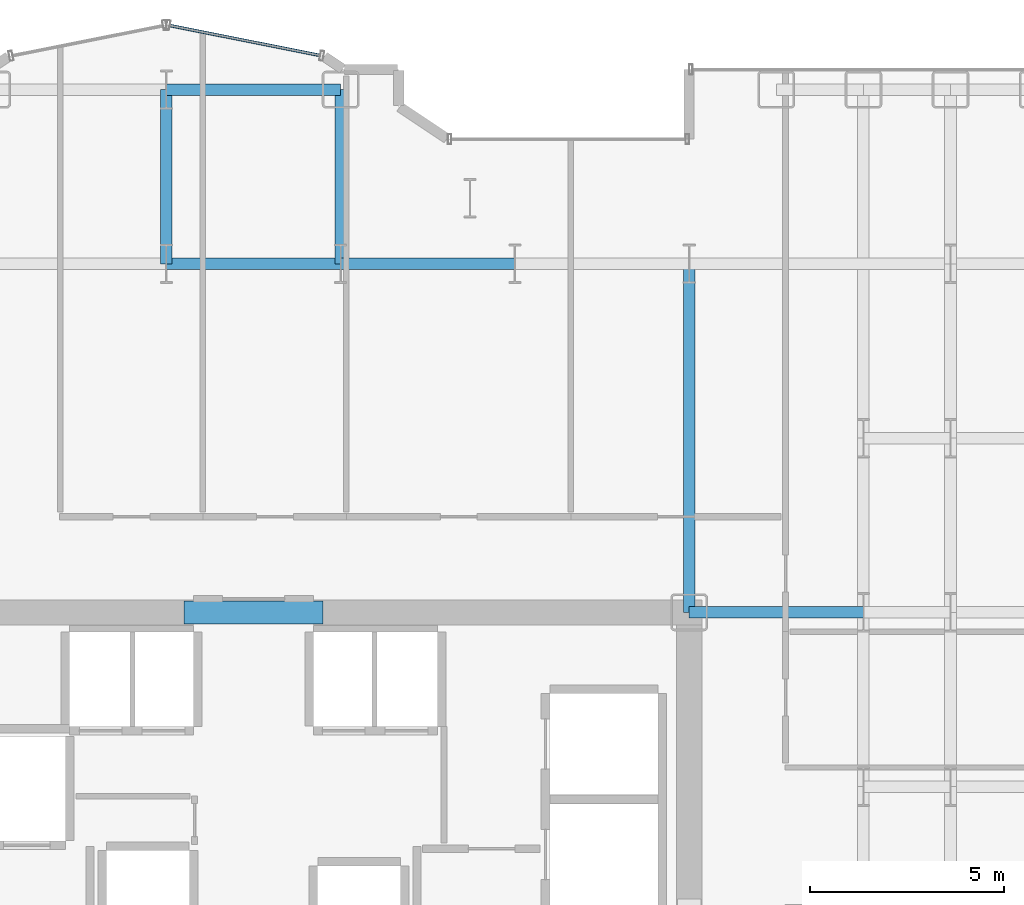
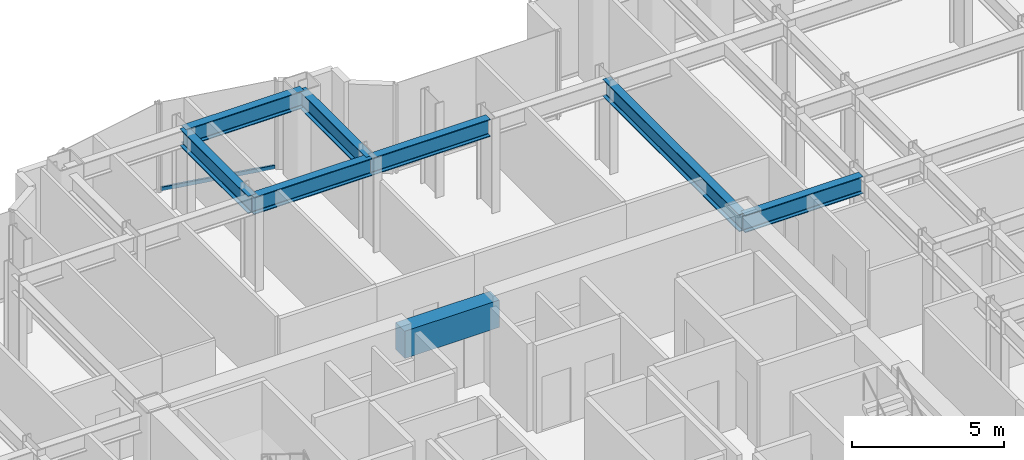
# One storey, part 11 of 26: 8 beams, 1 member, 1 element without a shape of its own.
"""IFC4 building model written with IfcOpenShell, lengths in metres."""

import ifcopenshell
import ifcopenshell.guid

model = None  # the IFC model being written
_history = None  # IfcOwnerHistory: only IFC2X3 demands one
_inside = {}  # id of a spatial element -> (the spatial element, [elements in it])
_under = {}  # id of a project, library or spatial element -> (it, [spatial elements below it])
_declared = {}  # id of a project -> (the project, [libraries it declares])
_typed = {}  # id of a type object -> (the type object, [elements of that type])
_made_of = {}  # id of a material, layer set ... -> (it, [elements and type objects made of it])


def new_model(schema):
    """Start an empty IFC model of exactly this schema.

    Asked for "IFC4X3", IfcOpenShell would pick the latest addendum, in which some entities
    have other attributes; the version numbers below select the first issue.
    IFC2X3 requires an IfcOwnerHistory on every rooted entity: one is made here for all.
    """
    global model, _history
    if schema == "IFC4X3":
        model = ifcopenshell.file(schema_version=(4, 3, 0, 0))
    else:
        model = ifcopenshell.file(schema=schema)
    _inside.clear()
    _under.clear()
    _declared.clear()
    _typed.clear()
    _made_of.clear()
    _history = None
    if model.schema == "IFC2X3":
        org = make("IfcOrganization", Name="unknown")
        user = make(
            "IfcPersonAndOrganization",
            ThePerson=make("IfcPerson", FamilyName="unknown"),
            TheOrganization=org,
        )
        app = make(
            "IfcApplication",
            ApplicationDeveloper=org,
            Version="unknown",
            ApplicationFullName="unknown",
            ApplicationIdentifier="unknown",
        )
        _history = make(
            "IfcOwnerHistory",
            OwningUser=user,
            OwningApplication=app,
            ChangeAction="ADDED",
            CreationDate=0,
        )
    return model


def make(cls, **values):
    """One entity of the class cls with the attributes given. An attribute that is None is left unset."""
    return model.create_entity(
        cls, **{name: value for name, value in values.items() if value is not None}
    )


def rooted(cls, **values):
    """An entity with a GlobalId (a new one), such as an element, a storey or a relation."""
    return make(cls, GlobalId=ifcopenshell.guid.new(), OwnerHistory=_history, **values)


def si_unit(unit_type, name, prefix=None):
    """IfcSIUnit, for example si_unit("LENGTHUNIT", "METRE", prefix="MILLI")."""
    return make("IfcSIUnit", UnitType=unit_type, Prefix=prefix, Name=name)


def assignment(units):
    """IfcUnitAssignment: the units of a project."""
    return None if units is None else make("IfcUnitAssignment", Units=units)


def point(xyz):
    """IfcCartesianPoint."""
    return None if xyz is None else make("IfcCartesianPoint", Coordinates=xyz)


def direction(xyz):
    """IfcDirection."""
    return None if xyz is None else make("IfcDirection", DirectionRatios=xyz)


def frame(location, z_axis=None, x_axis=None):
    """IfcAxis2Placement3D, a coordinate frame: its origin and axes. An axis left out is left unset."""
    return make(
        "IfcAxis2Placement3D",
        Location=point(location),
        Axis=direction(z_axis),
        RefDirection=direction(x_axis),
    )


def frame_2d(location, x_axis=None):
    """IfcAxis2Placement2D, a coordinate frame in the plane: its origin and x axis."""
    return make(
        "IfcAxis2Placement2D", Location=point(location), RefDirection=direction(x_axis)
    )


def origin():
    """The frame at (0, 0, 0) with its axes left unset."""
    return frame((0.0, 0.0, 0.0))


def origin_2d():
    """The frame at (0, 0) in the plane with its x axis left unset."""
    return frame_2d((0.0, 0.0))


def place(relative_to, where):
    """IfcLocalPlacement: puts the frame where relative to a parent placement (None: the world)."""
    return make(
        "IfcLocalPlacement", PlacementRelTo=relative_to, RelativePlacement=where
    )


def context(
    kind, dimensions, precision=None, world=None, true_north=None, identifier=None
):
    """IfcGeometricRepresentationContext, for example the 3D "Model" context."""
    return make(
        "IfcGeometricRepresentationContext",
        ContextIdentifier=identifier,
        ContextType=kind,
        CoordinateSpaceDimension=dimensions,
        Precision=precision,
        WorldCoordinateSystem=world,
        TrueNorth=true_north,
    )


def subcontext(parent, identifier, kind, view, scale=None):
    """IfcGeometricRepresentationSubContext, for example "Body" below "Model"."""
    return make(
        "IfcGeometricRepresentationSubContext",
        ContextIdentifier=identifier,
        ContextType=kind,
        ParentContext=parent,
        TargetScale=scale,
        TargetView=view,
    )


def project(units=None, contexts=None):
    """IfcProject with its units and contexts."""
    return rooted(
        "IfcProject",
        Name="project",
        RepresentationContexts=contexts,
        UnitsInContext=assignment(units),
    )


def spatial(cls, under=None, at=None, **own):
    """A site, building, storey or space (cls), placed at a placement, below another one or the project."""
    s = rooted(cls, ObjectPlacement=at, **own)
    if under is not None:
        _under.setdefault(under.id(), (under, []))[1].append(s)
    return s


def profile(cls, at=None, kind="AREA", **sizes):
    """A parametric profile (cls). Its sizes go by their IFC names, for example OverallWidth=200.0."""
    return make(cls, ProfileType=kind, Position=at, **sizes)


def rectangle(**sizes):
    """IfcRectangleProfileDef."""
    return profile("IfcRectangleProfileDef", **sizes)


def hollow_rectangle(**sizes):
    """IfcRectangleHollowProfileDef."""
    return profile("IfcRectangleHollowProfileDef", **sizes)


def i_section(**sizes):
    """IfcIShapeProfileDef."""
    return profile("IfcIShapeProfileDef", **sizes)


def extrude(swept, where, along, depth):
    """IfcExtrudedAreaSolid: the profile swept, set in the frame where, extruded along a direction by depth."""
    return make(
        "IfcExtrudedAreaSolid",
        SweptArea=swept,
        Position=where,
        ExtrudedDirection=direction(along),
        Depth=depth,
    )


def shape(context_of_items, identifier, shape_type, items):
    """IfcShapeRepresentation: the items that make up one representation, for example the "Body"."""
    return make(
        "IfcShapeRepresentation",
        ContextOfItems=context_of_items,
        RepresentationIdentifier=identifier,
        RepresentationType=shape_type,
        Items=items,
    )


def source(mapping_origin, context_of_items, identifier, shape_type, items):
    """IfcRepresentationMap: a shape defined once, which mapped items show again and again."""
    return make(
        "IfcRepresentationMap",
        MappingOrigin=mapping_origin,
        MappedRepresentation=shape(context_of_items, identifier, shape_type, items),
    )


def transform(
    local_origin,
    x_axis=None,
    y_axis=None,
    z_axis=None,
    scale=None,
    scale2=None,
    scale3=None,
    uniform=True,
):
    """IfcCartesianTransformationOperator3D, or its non-uniform kind. x_axis, y_axis, z_axis: its Axis1, 2, 3."""
    if uniform:
        return make(
            "IfcCartesianTransformationOperator3D",
            Axis1=direction(x_axis),
            Axis2=direction(y_axis),
            LocalOrigin=point(local_origin),
            Scale=scale,
            Axis3=direction(z_axis),
        )
    return make(
        "IfcCartesianTransformationOperator3DnonUniform",
        Axis1=direction(x_axis),
        Axis2=direction(y_axis),
        LocalOrigin=point(local_origin),
        Scale=scale,
        Axis3=direction(z_axis),
        Scale2=scale2,
        Scale3=scale3,
    )


def mapped(mapping_source, mapping_target):
    """IfcMappedItem: shows the shape of a source again, moved by a transform."""
    return make(
        "IfcMappedItem", MappingSource=mapping_source, MappingTarget=mapping_target
    )


def material(Name=None, Category=None):
    """IfcMaterial."""
    return make("IfcMaterial", Name=Name, Category=Category)


def layer(
    of_material, thickness, ventilated=None, Name=None, Category=None, Priority=None
):
    """IfcMaterialLayer: one layer of a wall or slab, of a material (None: an air gap)."""
    return make(
        "IfcMaterialLayer",
        Material=of_material,
        LayerThickness=thickness,
        IsVentilated=ventilated,
        Name=Name,
        Category=Category,
        Priority=Priority,
    )


def layer_set(layers, Name=None):
    """IfcMaterialLayerSet."""
    return make("IfcMaterialLayerSet", MaterialLayers=layers, LayerSetName=Name)


def material_profile(
    of_material, cross_section, Name=None, Category=None, Priority=None
):
    """IfcMaterialProfile: a cross section and its material."""
    return make(
        "IfcMaterialProfile",
        Name=Name,
        Material=of_material,
        Profile=cross_section,
        Priority=Priority,
        Category=Category,
    )


def profile_set(profiles, Name=None, composite=None):
    """IfcMaterialProfileSet."""
    return make(
        "IfcMaterialProfileSet",
        Name=Name,
        MaterialProfiles=profiles,
        CompositeProfile=composite,
    )


def made_of(thing, what):
    """Note that an element or type object is made of a material, layer set ...; save() writes the relation."""
    if what is not None:
        _made_of.setdefault(what.id(), (what, []))[1].append(thing)
    return thing


def type_object(cls, material=None, **own):
    """A type object (cls), such as IfcWallType, which elements share."""
    return made_of(rooted(cls, **own), material)


def element(
    cls,
    number,
    at=None,
    inside=None,
    cuts=None,
    type_object=None,
    material=None,
    context=None,
    identifier="Body",
    shape_type=None,
    held_by="IfcProductDefinitionShape",
    body=None,
    shapes=None,
    **own,
):
    """One element of the class cls, such as IfcWall. Its Tag is "e" and its number.

    at: its placement. inside: the storey or other place that contains it. cuts: it is an
    opening in that element (IfcRelVoidsElement). A single representation is given by context,
    identifier, shape_type and body (its items); several are given by shapes. held_by: the class
    of the entity that holds the representations. save() writes the other relations.
    """
    e = rooted(cls, Tag="e%d" % number, ObjectPlacement=at, **own)
    if body is not None:
        shapes = [shape(context, identifier, shape_type, body)]
    if shapes is not None:
        e.Representation = make(held_by, Representations=shapes)
    if inside is not None:
        _inside.setdefault(inside.id(), (inside, []))[1].append(e)
    if cuts is not None:
        rooted(
            "IfcRelVoidsElement", RelatingBuildingElement=cuts, RelatedOpeningElement=e
        )
    if type_object is not None:
        _typed.setdefault(type_object.id(), (type_object, []))[1].append(e)
    return made_of(e, material)


def aggregate(whole, parts):
    """IfcRelAggregates: a whole, such as a stair, and the parts it consists of."""
    return rooted("IfcRelAggregates", RelatingObject=whole, RelatedObjects=parts)


def save(model, path):
    """Write the relations noted so far, then the file.

    IfcRelAggregates (storeys below a building ...), IfcRelContainedInSpatialStructure (elements
    in a storey), IfcRelDefinesByType, IfcRelAssociatesMaterial and IfcRelDeclares: one each for
    every whole, place, type object, material and project.
    """
    for whole, parts in _under.values():
        aggregate(whole, parts)
    for where, things in _inside.values():
        rooted(
            "IfcRelContainedInSpatialStructure",
            RelatedElements=things,
            RelatingStructure=where,
        )
    for kind, things in _typed.values():
        rooted("IfcRelDefinesByType", RelatedObjects=things, RelatingType=kind)
    for what, things in _made_of.values():
        rooted("IfcRelAssociatesMaterial", RelatedObjects=things, RelatingMaterial=what)
    for by, libraries in _declared.values():
        rooted("IfcRelDeclares", RelatingContext=by, RelatedDefinitions=libraries)
    model.write(path)


model = new_model("IFC4")

# Units and contexts
model_context = context("Model", 3, precision=1e-05, world=origin(), true_north=direction((0.0, 1.0)))
body_context = subcontext(model_context, "Body", "Model", "MODEL_VIEW")
ifc_project = project(units=[si_unit("LENGTHUNIT", "METRE"), si_unit("AREAUNIT", "SQUARE_METRE"), si_unit("VOLUMEUNIT", "CUBIC_METRE"), si_unit("PLANEANGLEUNIT", "RADIAN"), si_unit("MASSUNIT", "GRAM", prefix="KILO")], contexts=[model_context])

# Site, building, storey
site_placement = place(None, origin())
site = spatial("IfcSite", under=ifc_project, at=site_placement, CompositionType="ELEMENT")
building_placement = place(site_placement, origin())
building = spatial("IfcBuilding", under=site, at=building_placement, Name="Nefas-Gora Pilgrimage Tower", CompositionType="ELEMENT")
storey_placement = place(building_placement, frame((0.0, 0.0, 36.800048828125)))
storey = spatial("IfcBuildingStorey", under=building, at=storey_placement, Name="L07", CompositionType="ELEMENT", Elevation=36.800048828125)

# Beams
ifc_material_1 = material(Name="Concrete C60/75", Category="concrete")
ifc_material_profile_1 = material_profile(ifc_material_1, rectangle(XDim=0.60009765625, YDim=1.10009765625, at=origin_2d()), Name="RC 600x1100")
ifc_profile_set_1 = profile_set([ifc_material_profile_1], Name="Concrete C60/75")
beam_type_1 = type_object("IfcBeamType", Name="BM-LIN-RC1100", PredefinedType="LINTEL", material=ifc_profile_set_1)
shared_shape_1 = source(origin(), body_context, "Body", "SweptSolid", [
    extrude(rectangle(XDim=0.60009765625, YDim=1.10009765625, at=origin_2d()), origin(), (0.0, 0.0, 1.0), 3.60009765625),
])
beam_1_placement = place(storey_placement, frame((-1.800048828125, 9.0, 3.0), z_axis=(1.0, 0.0, 0.0), x_axis=(0.0, 1.0, 0.0)))
element("IfcBeam", 1, at=beam_1_placement, inside=storey, type_object=beam_type_1, Name="L07 Core Coupling Lintel Beam N", PredefinedType="LINTEL", context=body_context, shape_type="MappedRepresentation", body=[
    mapped(shared_shape_1, transform((0.0, 0.0, 0.0), x_axis=(1.0, 0.0, 0.0), y_axis=(0.0, 1.0, 0.0), z_axis=(0.0, 0.0, 1.0), scale=1.0)),
])
ifc_material_2 = material(Name="Steel S355", Category="steel")
ifc_material_profile_2 = material_profile(ifc_material_2, i_section(OverallWidth=0.300048828125, OverallDepth=0.699951171875, WebThickness=0.01708984375, FlangeThickness=0.031982421875, FilletRadius=0.027099609375, at=origin_2d()), Name="HEB 700")
ifc_profile_set_2 = profile_set([ifc_material_profile_2], Name="Steel S355")
beam_type_2 = type_object("IfcBeamType", Name="BM-GIR-HEB700", PredefinedType="BEAM", material=ifc_profile_set_2)
shared_shape_2 = source(origin(), body_context, "Body", "SweptSolid", [
    extrude(i_section(OverallWidth=0.300048828125, OverallDepth=0.699951171875, WebThickness=0.01708984375, FlangeThickness=0.031982421875, FilletRadius=0.027099609375, at=origin_2d()), origin(), (0.0, 0.0, 1.0), 9.0),
])
beam_2_placement = place(storey_placement, frame((11.25, 9.0, 3.199951171875), z_axis=(0.0, 1.0, 0.0), x_axis=(-1.0, 0.0, 0.0)))
element("IfcBeam", 2, at=beam_2_placement, inside=storey, type_object=beam_type_2, Name="L07 G-02 beam", PredefinedType="BEAM", context=body_context, shape_type="MappedRepresentation", body=[
    mapped(shared_shape_2, transform((0.0, 0.0, 0.0), x_axis=(1.0, 0.0, 0.0), y_axis=(0.0, 1.0, 0.0), z_axis=(0.0, 0.0, 1.0), scale=1.0)),
])
shared_shape_3 = source(origin(), body_context, "Body", "SweptSolid", [
    extrude(i_section(OverallWidth=0.300048828125, OverallDepth=0.699951171875, WebThickness=0.01708984375, FlangeThickness=0.031982421875, FilletRadius=0.027099609375, at=origin_2d()), origin(), (0.0, 0.0, 1.0), 4.5),
])
for number, where, z_axis, x_axis, name in (
    (3, (-2.25, 18.0, 3.199951171875), (0.0, 1.0, 0.0), (-1.0, 0.0, 0.0), "L07 G-02 beam"),
    (4, (-2.25, 18.0, 3.199951171875), (1.0, 0.0, 0.0), (0.0, 1.0, 0.0), "L07 G-02 beam"),
    (5, (-2.25, 22.5, 3.199951171875), (1.0, 0.0, 0.0), (0.0, 1.0, 0.0), "L07 G-02 beam"),
    (6, (2.25, 18.0, 3.199951171875), (0.0, 1.0, 0.0), (-1.0, 0.0, 0.0), "L07 G-02 beam"),
    (7, (2.25, 18.0, 3.199951171875), (1.0, 0.0, 0.0), (0.0, 1.0, 0.0), "L07 G-02 beam"),
    (8, (11.25, 9.0, 3.199951171875), (1.0, 0.0, 0.0), (0.0, 1.0, 0.0), "L07 G-02 beam"),
):
    element("IfcBeam", number, at=place(storey_placement, frame(where, z_axis=z_axis, x_axis=x_axis)), inside=storey, type_object=beam_type_2, Name=name, PredefinedType="BEAM", context=body_context, shape_type="MappedRepresentation", body=[
        mapped(shared_shape_3, transform((0.0, 0.0, 0.0), x_axis=(1.0, 0.0, 0.0), y_axis=(0.0, 1.0, 0.0), z_axis=(0.0, 0.0, 1.0), scale=1.0)),
    ])

# Curtain wall, member
ifc_material_3 = material(Name="Dark ceramic-fritted solar-control aluminium-glass curtain wall", Category="aluminium")
ifc_layer = layer(ifc_material_3, 0.219970703125)
ifc_layer_set = layer_set([ifc_layer], Name="Dark ceramic-fritted solar-control aluminium-glass curtain wall")
curtain_wall_type = type_object("IfcCurtainWallType", Name="CW-SYS-5", PredefinedType="NOTDEFINED", material=ifc_layer_set)
curtain_wall_placement = place(storey_placement, origin())
curtain_wall = element("IfcCurtainWall", 9, at=curtain_wall_placement, inside=storey, type_object=curtain_wall_type, Name="L07 Unitised Curtain Wall CW5", PredefinedType="NOTDEFINED")
ifc_material_4 = material(Name="Anodised architectural aluminium", Category="aluminium")
ifc_material_profile_3 = material_profile(ifc_material_4, hollow_rectangle(XDim=0.080078125, YDim=0.159912109375, WallThickness=0.00439453125, InnerFilletRadius=0.00439453125, OuterFilletRadius=0.009033203125, at=origin_2d()), Name="ALU TRANSOM 80x160")
ifc_profile_set_3 = profile_set([ifc_material_profile_3], Name="Anodised architectural aluminium")
member_type = type_object("IfcMemberType", Name="CWM-TRN-5", PredefinedType="USERDEFINED", material=ifc_profile_set_3)
shared_shape_4 = source(origin(), body_context, "Body", "SweptSolid", [
    extrude(hollow_rectangle(XDim=0.080078125, YDim=0.159912109375, WallThickness=0.00439453125, InnerFilletRadius=0.00439453125, OuterFilletRadius=0.009033203125, at=origin_2d()), origin(), (0.0, 0.0, 1.0), 3.95654296875),
])
member_placement = place(storey_placement, frame((1.718994140625, 23.3828125, 0.050048828125), z_axis=(-0.980781880918, 0.195107411605, 0.0), x_axis=(-0.195107411605, -0.980781880918, 0.0)))
member = element("IfcMember", 10, at=member_placement, type_object=member_type, Name="CW5 Spandrel Transom", ObjectType="TRANSOM", PredefinedType="USERDEFINED", context=body_context, shape_type="MappedRepresentation", body=[
    mapped(shared_shape_4, transform((0.0, 0.0, 0.0), x_axis=(1.0, 0.0, 0.0), y_axis=(0.0, 1.0, 0.0), z_axis=(0.0, 0.0, 1.0), scale=1.0)),
])
aggregate(curtain_wall, [member])

save(model, "model.ifc")
